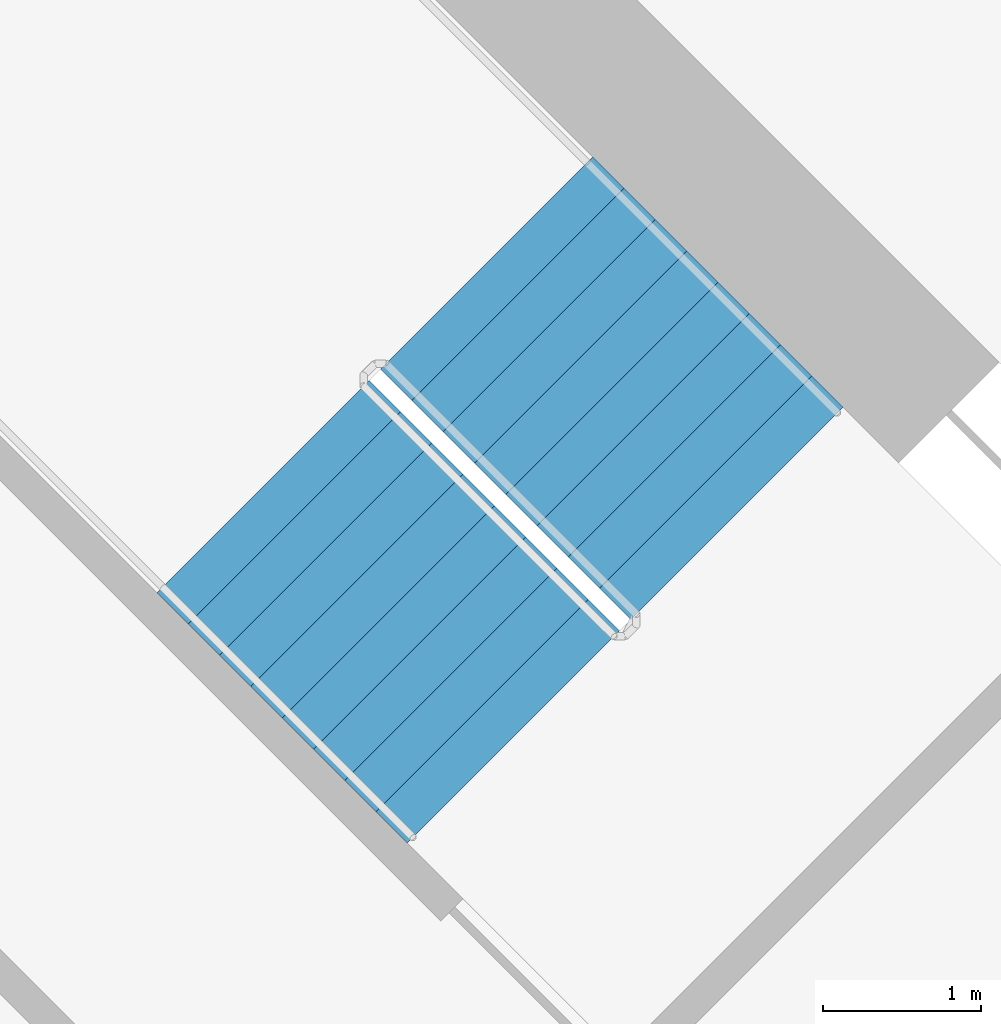
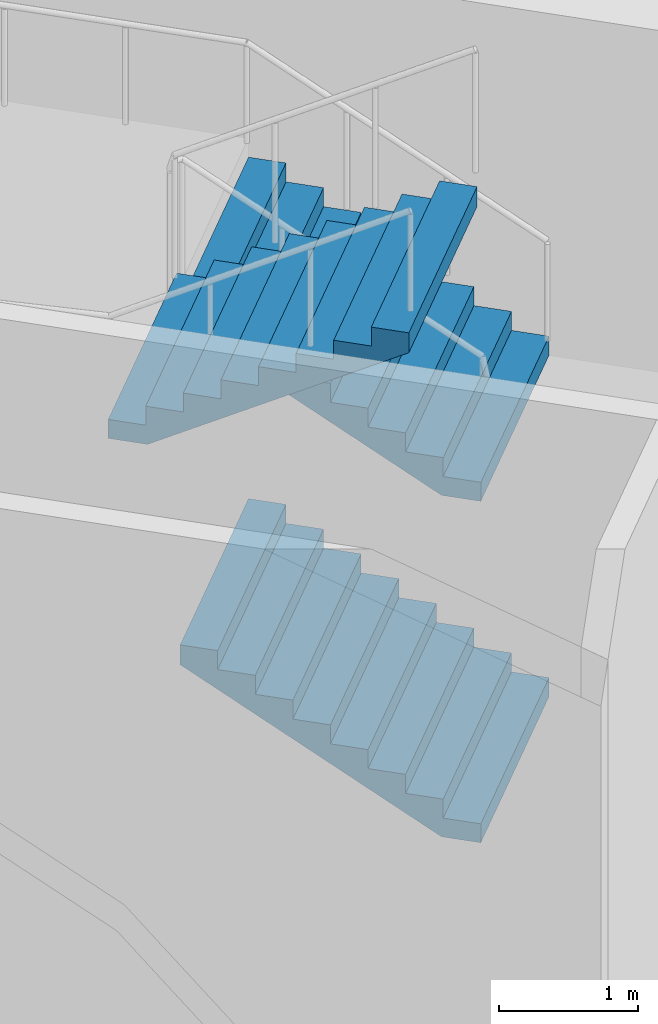
# One storey, part 17 of 20: 3 stair flights, 1 element without a shape of its own.
"""IFC4 building model written with IfcOpenShell, lengths in metres."""

from ifc_helpers import new_model, si_unit, direction, frame, origin, place, context, subcontext, project, spatial, triangles, material, type_object, element, aggregate, save


model = new_model("IFC4")

# Units and contexts
model_context = context("Model", 3, precision=1e-05, world=origin(), true_north=direction((0.0, 1.0)))
body_context = subcontext(model_context, "Body", "Model", "MODEL_VIEW")
ifc_project = project(units=[si_unit("LENGTHUNIT", "METRE"), si_unit("AREAUNIT", "SQUARE_METRE"), si_unit("VOLUMEUNIT", "CUBIC_METRE"), si_unit("PLANEANGLEUNIT", "RADIAN"), si_unit("MASSUNIT", "GRAM", prefix="KILO")], contexts=[model_context])

# Site, building, storey
site_placement = place(None, origin())
site = spatial("IfcSite", under=ifc_project, at=site_placement, CompositionType="ELEMENT")
building_placement = place(site_placement, origin())
building = spatial("IfcBuilding", under=site, at=building_placement, Name="Verdalira Terraces Hotel", CompositionType="ELEMENT")
storey_placement = place(building_placement, frame((0.0, 0.0, 75.0)))
storey = spatial("IfcBuildingStorey", under=building, at=storey_placement, Name="L17", CompositionType="ELEMENT", Elevation=75.0)

# Stair, stair flights
ifc_material_1 = material(Name="Concrete C40", Category="concrete")
stair_type = type_object("IfcStairType", Name="Core stair 36 risers 1900 mm wide", PredefinedType="HALF_TURN_STAIR", material=ifc_material_1)
stair_placement = place(storey_placement, origin())
stair = element("IfcStair", 1, at=stair_placement, inside=storey, type_object=stair_type, Name="L17 Exit stair ST1", PredefinedType="HALF_TURN_STAIR")
ifc_material_2 = material(Name="Concrete C40", Category="concrete")
stair_flight_type = type_object("IfcStairFlightType", Name="Core stair flight 36 risers 1900 mm wide", PredefinedType="STRAIGHT", material=ifc_material_2)
stair_flight_1_placement = place(storey_placement, frame((10.005615, 7.177246, 0.0), z_axis=(0.0, 0.0, 1.0), x_axis=(-0.707106781, 0.707106781, 0.0)))
stair_flight_1 = element("IfcStairFlight", 2, at=stair_flight_1_placement, type_object=stair_flight_type, Name="ST1 flight 1", NumberOfRisers=9, NumberOfTreads=8, PredefinedType="STRAIGHT", RiserHeight=0.166666667, TreadLength=0.28, context=body_context, shape_type="Tessellation", body=[
    triangles([(0.0, 0.949951, 0.0), (0.292969, 0.949951, 0.0), (2.23999, 0.949951, 1.158936), (0.0, -0.949951, 0.0), (0.292969, -0.949951, 0.0), (2.23999, -0.949951, 1.158936), (2.23999, 0.949951, 1.333252), (1.959961, 0.949951, 1.333252), (2.23999, -0.949951, 1.333252), (1.959961, -0.949951, 1.333252), (1.959961, 0.949951, 1.166748), (1.959961, -0.949951, 1.166748), (1.679932, 0.949951, 1.166748), (1.679932, -0.949951, 1.166748), (1.679932, 0.949951, 1.0), (1.679932, -0.949951, 1.0), (1.399902, 0.949951, 1.0), (1.399902, 0.949951, 0.833252), (1.399902, -0.949951, 1.0), (1.399902, -0.949951, 0.833252), (1.120117, 0.949951, 0.833252), (1.120117, 0.949951, 0.666748), (1.120117, -0.949951, 0.833252), (1.120117, -0.949951, 0.666748), (0.840088, 0.949951, 0.666748), (0.840088, 0.949951, 0.5), (0.840088, -0.949951, 0.666748), (0.840088, -0.949951, 0.5), (0.560059, 0.949951, 0.5), (0.560059, 0.949951, 0.333252), (0.560059, -0.949951, 0.5), (0.560059, -0.949951, 0.333252), (0.280029, 0.949951, 0.333252), (0.280029, 0.949951, 0.166748), (0.280029, -0.949951, 0.333252), (0.280029, -0.949951, 0.166748), (0.0, 0.949951, 0.166748), (0.0, -0.949951, 0.166748), (0.0, -0.890579, 0.0), (0.0, -0.890579, 0.166748), (0.0, -0.831207, 0.0), (0.0, -0.831207, 0.166748), (0.0, -0.771835, 0.0), (0.0, -0.771835, 0.166748), (0.0, -0.712463, 0.0), (0.0, -0.712463, 0.166748), (0.0, -0.653091, 0.0), (0.0, -0.653091, 0.166748), (0.0, -0.593719, 0.0), (0.0, -0.593719, 0.166748), (0.0, -0.534348, 0.0), (0.0, -0.534348, 0.166748), (0.0, -0.474976, 0.0), (0.0, -0.474976, 0.166748), (0.0, -0.415604, 0.0), (0.0, -0.415604, 0.166748), (0.0, -0.356232, 0.0), (0.0, -0.356232, 0.166748), (0.0, -0.29686, 0.0), (0.0, -0.29686, 0.166748), (0.0, -0.237488, 0.0), (0.0, -0.237488, 0.166748), (0.0, -0.178116, 0.0), (0.0, -0.178116, 0.166748), (0.0, -0.118744, 0.0), (0.0, -0.118744, 0.166748), (0.0, -0.059372, 0.0), (0.0, -0.059372, 0.166748), (0.0, 0.0, 0.0), (0.0, 0.0, 0.166748), (0.0, 0.059372, 0.0), (0.0, 0.059372, 0.166748), (0.0, 0.118744, 0.0), (0.0, 0.118744, 0.166748), (0.0, 0.178116, 0.0), (0.0, 0.178116, 0.166748), (0.0, 0.237488, 0.0), (0.0, 0.237488, 0.166748), (0.0, 0.29686, 0.0), (0.0, 0.29686, 0.166748), (0.0, 0.356232, 0.0), (0.0, 0.356232, 0.166748), (0.0, 0.415604, 0.0), (0.0, 0.415604, 0.166748), (0.0, 0.474976, 0.0), (0.0, 0.474976, 0.166748), (0.0, 0.534348, 0.0), (0.0, 0.534348, 0.166748), (0.0, 0.593719, 0.0), (0.0, 0.593719, 0.166748), (0.0, 0.653091, 0.0), (0.0, 0.653091, 0.166748), (0.0, 0.712463, 0.0), (0.0, 0.712463, 0.166748), (0.0, 0.771835, 0.0), (0.0, 0.771835, 0.166748), (0.0, 0.831207, 0.0), (0.0, 0.831207, 0.166748), (0.0, 0.890579, 0.0), (0.0, 0.890579, 0.166748), (2.23999, -0.890579, 1.333252), (2.23999, -0.831207, 1.333252), (2.23999, -0.771835, 1.333252), (2.23999, -0.712463, 1.333252), (2.23999, -0.653091, 1.333252), (2.23999, -0.593719, 1.333252), (2.23999, -0.534348, 1.333252), (2.23999, -0.474976, 1.333252), (2.23999, -0.415604, 1.333252), (2.23999, -0.356232, 1.333252), (2.23999, -0.29686, 1.333252), (2.23999, -0.237488, 1.333252), (2.23999, -0.178116, 1.333252), (2.23999, -0.118744, 1.333252), (2.23999, -0.059372, 1.333252), (2.23999, 0.0, 1.333252), (2.23999, 0.059372, 1.333252), (2.23999, 0.118744, 1.333252), (2.23999, 0.178116, 1.333252), (2.23999, 0.237488, 1.333252), (2.23999, 0.29686, 1.333252), (2.23999, 0.356232, 1.333252), (2.23999, 0.415604, 1.333252), (2.23999, 0.474976, 1.333252), (2.23999, 0.534348, 1.333252), (2.23999, 0.593719, 1.333252), (2.23999, 0.653091, 1.333252), (2.23999, 0.712463, 1.333252), (2.23999, 0.771835, 1.333252), (2.23999, 0.831207, 1.333252), (2.23999, 0.890579, 1.333252), (2.23999, -0.890579, 1.158936), (2.23999, -0.831207, 1.158936), (2.23999, -0.771835, 1.158936), (2.23999, -0.712463, 1.158936), (2.23999, -0.653091, 1.158936), (2.23999, -0.593719, 1.158936), (2.23999, -0.534348, 1.158936), (2.23999, -0.474976, 1.158936), (2.23999, -0.415604, 1.158936), (2.23999, -0.356232, 1.158936), (2.23999, -0.29686, 1.158936), (2.23999, -0.237488, 1.158936), (2.23999, -0.178116, 1.158936), (2.23999, -0.118744, 1.158936), (2.23999, -0.059372, 1.158936), (2.23999, 0.0, 1.158936), (2.23999, 0.059372, 1.158936), (2.23999, 0.118744, 1.158936), (2.23999, 0.178116, 1.158936), (2.23999, 0.237488, 1.158936), (2.23999, 0.29686, 1.158936), (2.23999, 0.356232, 1.158936), (2.23999, 0.415604, 1.158936), (2.23999, 0.474976, 1.158936), (2.23999, 0.534348, 1.158936), (2.23999, 0.593719, 1.158936), (2.23999, 0.653091, 1.158936), (2.23999, 0.712463, 1.158936), (2.23999, 0.771835, 1.158936), (2.23999, 0.831207, 1.158936), (2.23999, 0.890579, 1.158936)], [[1, 3, 2], [4, 5, 6], [3, 8, 7], [6, 9, 10], [3, 11, 8], [6, 10, 12], [3, 13, 11], [6, 12, 14], [3, 15, 13], [6, 14, 16], [15, 18, 17], [16, 19, 20], [3, 18, 15], [6, 16, 20], [18, 22, 21], [20, 23, 24], [3, 22, 18], [6, 20, 24], [22, 26, 25], [24, 27, 28], [3, 26, 22], [6, 24, 28], [26, 30, 29], [28, 31, 32], [3, 30, 26], [6, 28, 32], [1, 30, 3], [4, 6, 32], [30, 34, 33], [32, 35, 36], [1, 34, 30], [4, 32, 36], [34, 1, 37], [36, 38, 4], [4, 40, 39], [4, 38, 40], [39, 42, 41], [39, 40, 42], [41, 44, 43], [41, 42, 44], [43, 46, 45], [43, 44, 46], [45, 48, 47], [45, 46, 48], [47, 50, 49], [47, 48, 50], [49, 52, 51], [49, 50, 52], [51, 54, 53], [51, 52, 54], [53, 56, 55], [53, 54, 56], [55, 58, 57], [55, 56, 58], [57, 60, 59], [57, 58, 60], [59, 62, 61], [59, 60, 62], [61, 64, 63], [61, 62, 64], [63, 66, 65], [63, 64, 66], [65, 68, 67], [65, 66, 68], [67, 70, 69], [67, 68, 70], [69, 72, 71], [69, 70, 72], [71, 74, 73], [71, 72, 74], [73, 76, 75], [73, 74, 76], [75, 78, 77], [75, 76, 78], [77, 80, 79], [77, 78, 80], [79, 82, 81], [79, 80, 82], [81, 84, 83], [81, 82, 84], [83, 86, 85], [83, 84, 86], [85, 88, 87], [85, 86, 88], [87, 90, 89], [87, 88, 90], [89, 92, 91], [89, 90, 92], [91, 94, 93], [91, 92, 94], [93, 96, 95], [93, 94, 96], [95, 98, 97], [95, 96, 98], [97, 100, 99], [97, 98, 100], [99, 37, 1], [99, 100, 37], [38, 36, 40], [40, 36, 42], [42, 36, 44], [44, 36, 46], [46, 36, 48], [48, 36, 50], [50, 36, 52], [52, 36, 54], [54, 36, 56], [56, 36, 58], [58, 36, 60], [60, 36, 62], [62, 36, 64], [64, 36, 66], [66, 36, 68], [68, 36, 70], [70, 36, 72], [72, 36, 74], [74, 36, 76], [76, 36, 78], [78, 36, 80], [80, 36, 82], [82, 36, 84], [84, 36, 86], [86, 36, 88], [88, 36, 90], [90, 36, 92], [92, 36, 94], [94, 36, 96], [96, 36, 98], [98, 36, 100], [100, 36, 37], [37, 36, 34], [36, 33, 34], [36, 35, 33], [35, 30, 33], [35, 32, 30], [32, 29, 30], [32, 31, 29], [31, 26, 29], [31, 28, 26], [28, 25, 26], [28, 27, 25], [27, 22, 25], [27, 24, 22], [24, 21, 22], [24, 23, 21], [23, 18, 21], [23, 20, 18], [20, 17, 18], [20, 19, 17], [19, 15, 17], [19, 16, 15], [16, 13, 15], [16, 14, 13], [14, 11, 13], [14, 12, 11], [12, 8, 11], [12, 10, 8], [9, 101, 10], [101, 102, 10], [102, 103, 10], [103, 104, 10], [104, 105, 10], [105, 106, 10], [106, 107, 10], [107, 108, 10], [108, 109, 10], [109, 110, 10], [110, 111, 10], [111, 112, 10], [112, 113, 10], [113, 114, 10], [114, 115, 10], [115, 116, 10], [116, 117, 10], [117, 118, 10], [118, 119, 10], [119, 120, 10], [120, 121, 10], [121, 122, 10], [122, 123, 10], [123, 124, 10], [124, 125, 10], [125, 126, 10], [126, 127, 10], [127, 128, 10], [128, 129, 10], [129, 130, 10], [130, 131, 10], [131, 7, 10], [7, 8, 10], [9, 132, 101], [9, 6, 132], [101, 133, 102], [101, 132, 133], [102, 134, 103], [102, 133, 134], [103, 135, 104], [103, 134, 135], [104, 136, 105], [104, 135, 136], [105, 137, 106], [105, 136, 137], [106, 138, 107], [106, 137, 138], [107, 139, 108], [107, 138, 139], [108, 140, 109], [108, 139, 140], [109, 141, 110], [109, 140, 141], [110, 142, 111], [110, 141, 142], [111, 143, 112], [111, 142, 143], [112, 144, 113], [112, 143, 144], [113, 145, 114], [113, 144, 145], [114, 146, 115], [114, 145, 146], [115, 147, 116], [115, 146, 147], [116, 148, 117], [116, 147, 148], [117, 149, 118], [117, 148, 149], [118, 150, 119], [118, 149, 150], [119, 151, 120], [119, 150, 151], [120, 152, 121], [120, 151, 152], [121, 153, 122], [121, 152, 153], [122, 154, 123], [122, 153, 154], [123, 155, 124], [123, 154, 155], [124, 156, 125], [124, 155, 156], [125, 157, 126], [125, 156, 157], [126, 158, 127], [126, 157, 158], [127, 159, 128], [127, 158, 159], [128, 160, 129], [128, 159, 160], [129, 161, 130], [129, 160, 161], [130, 162, 131], [130, 161, 162], [131, 3, 7], [131, 162, 3], [6, 5, 132], [132, 5, 133], [133, 5, 134], [134, 5, 135], [135, 5, 136], [136, 5, 137], [137, 5, 138], [138, 5, 139], [139, 5, 140], [140, 5, 141], [141, 5, 142], [142, 5, 143], [143, 5, 144], [144, 5, 145], [145, 5, 146], [146, 5, 147], [147, 5, 148], [148, 5, 149], [149, 5, 150], [150, 5, 151], [151, 5, 152], [152, 5, 153], [153, 5, 154], [154, 5, 155], [155, 5, 156], [156, 5, 157], [157, 5, 158], [158, 5, 159], [159, 5, 160], [160, 5, 161], [161, 5, 162], [162, 5, 3], [3, 5, 2], [4, 39, 5], [39, 41, 5], [41, 43, 5], [43, 45, 5], [45, 47, 5], [47, 49, 5], [49, 51, 5], [51, 53, 5], [53, 55, 5], [55, 57, 5], [57, 59, 5], [59, 61, 5], [61, 63, 5], [63, 65, 5], [65, 67, 5], [67, 69, 5], [69, 71, 5], [71, 73, 5], [73, 75, 5], [75, 77, 5], [77, 79, 5], [79, 81, 5], [81, 83, 5], [83, 85, 5], [85, 87, 5], [87, 89, 5], [89, 91, 5], [91, 93, 5], [93, 95, 5], [95, 97, 5], [97, 99, 5], [99, 1, 5], [1, 2, 5]], closed=True),
])
stair_flight_2_placement = place(storey_placement, frame((10.005615, 7.177246, 3.0), z_axis=(0.0, 0.0, 1.0), x_axis=(-0.707106781, 0.707106781, 0.0)))
stair_flight_2 = element("IfcStairFlight", 3, at=stair_flight_2_placement, type_object=stair_flight_type, Name="ST1 flight 3", NumberOfRisers=9, NumberOfTreads=8, PredefinedType="STRAIGHT", RiserHeight=0.166666667, TreadLength=0.28, context=body_context, shape_type="Tessellation", body=[
    triangles([(0.0, 0.949951, 0.0), (0.292969, 0.949951, 0.0), (2.23999, 0.949951, 1.158936), (0.0, -0.949951, 0.0), (0.292969, -0.949951, 0.0), (2.23999, -0.949951, 1.158936), (2.23999, 0.949951, 1.333252), (1.959961, 0.949951, 1.333252), (2.23999, -0.949951, 1.333252), (1.959961, -0.949951, 1.333252), (1.959961, 0.949951, 1.166748), (1.959961, -0.949951, 1.166748), (1.679932, 0.949951, 1.166748), (1.679932, -0.949951, 1.166748), (1.679932, 0.949951, 1.0), (1.679932, -0.949951, 1.0), (1.399902, 0.949951, 1.0), (1.399902, 0.949951, 0.833252), (1.399902, -0.949951, 1.0), (1.399902, -0.949951, 0.833252), (1.120117, 0.949951, 0.833252), (1.120117, 0.949951, 0.666748), (1.120117, -0.949951, 0.833252), (1.120117, -0.949951, 0.666748), (0.840088, 0.949951, 0.666748), (0.840088, 0.949951, 0.5), (0.840088, -0.949951, 0.666748), (0.840088, -0.949951, 0.5), (0.560059, 0.949951, 0.5), (0.560059, 0.949951, 0.333252), (0.560059, -0.949951, 0.5), (0.560059, -0.949951, 0.333252), (0.280029, 0.949951, 0.333252), (0.280029, 0.949951, 0.166748), (0.280029, -0.949951, 0.333252), (0.280029, -0.949951, 0.166748), (0.0, 0.949951, 0.166748), (0.0, -0.949951, 0.166748), (0.0, -0.890579, 0.0), (0.0, -0.890579, 0.166748), (0.0, -0.831207, 0.0), (0.0, -0.831207, 0.166748), (0.0, -0.771835, 0.0), (0.0, -0.771835, 0.166748), (0.0, -0.712463, 0.0), (0.0, -0.712463, 0.166748), (0.0, -0.653091, 0.0), (0.0, -0.653091, 0.166748), (0.0, -0.593719, 0.0), (0.0, -0.593719, 0.166748), (0.0, -0.534348, 0.0), (0.0, -0.534348, 0.166748), (0.0, -0.474976, 0.0), (0.0, -0.474976, 0.166748), (0.0, -0.415604, 0.0), (0.0, -0.415604, 0.166748), (0.0, -0.356232, 0.0), (0.0, -0.356232, 0.166748), (0.0, -0.29686, 0.0), (0.0, -0.29686, 0.166748), (0.0, -0.237488, 0.0), (0.0, -0.237488, 0.166748), (0.0, -0.178116, 0.0), (0.0, -0.178116, 0.166748), (0.0, -0.118744, 0.0), (0.0, -0.118744, 0.166748), (0.0, -0.059372, 0.0), (0.0, -0.059372, 0.166748), (0.0, 0.0, 0.0), (0.0, 0.0, 0.166748), (0.0, 0.059372, 0.0), (0.0, 0.059372, 0.166748), (0.0, 0.118744, 0.0), (0.0, 0.118744, 0.166748), (0.0, 0.178116, 0.0), (0.0, 0.178116, 0.166748), (0.0, 0.237488, 0.0), (0.0, 0.237488, 0.166748), (0.0, 0.29686, 0.0), (0.0, 0.29686, 0.166748), (0.0, 0.356232, 0.0), (0.0, 0.356232, 0.166748), (0.0, 0.415604, 0.0), (0.0, 0.415604, 0.166748), (0.0, 0.474976, 0.0), (0.0, 0.474976, 0.166748), (0.0, 0.534348, 0.0), (0.0, 0.534348, 0.166748), (0.0, 0.593719, 0.0), (0.0, 0.593719, 0.166748), (0.0, 0.653091, 0.0), (0.0, 0.653091, 0.166748), (0.0, 0.712463, 0.0), (0.0, 0.712463, 0.166748), (0.0, 0.771835, 0.0), (0.0, 0.771835, 0.166748), (0.0, 0.831207, 0.0), (0.0, 0.831207, 0.166748), (0.0, 0.890579, 0.0), (0.0, 0.890579, 0.166748), (2.23999, -0.890579, 1.333252), (2.23999, -0.831207, 1.333252), (2.23999, -0.771835, 1.333252), (2.23999, -0.712463, 1.333252), (2.23999, -0.653091, 1.333252), (2.23999, -0.593719, 1.333252), (2.23999, -0.534348, 1.333252), (2.23999, -0.474976, 1.333252), (2.23999, -0.415604, 1.333252), (2.23999, -0.356232, 1.333252), (2.23999, -0.29686, 1.333252), (2.23999, -0.237488, 1.333252), (2.23999, -0.178116, 1.333252), (2.23999, -0.118744, 1.333252), (2.23999, -0.059372, 1.333252), (2.23999, 0.0, 1.333252), (2.23999, 0.059372, 1.333252), (2.23999, 0.118744, 1.333252), (2.23999, 0.178116, 1.333252), (2.23999, 0.237488, 1.333252), (2.23999, 0.29686, 1.333252), (2.23999, 0.356232, 1.333252), (2.23999, 0.415604, 1.333252), (2.23999, 0.474976, 1.333252), (2.23999, 0.534348, 1.333252), (2.23999, 0.593719, 1.333252), (2.23999, 0.653091, 1.333252), (2.23999, 0.712463, 1.333252), (2.23999, 0.771835, 1.333252), (2.23999, 0.831207, 1.333252), (2.23999, 0.890579, 1.333252), (2.23999, -0.890579, 1.158936), (2.23999, -0.831207, 1.158936), (2.23999, -0.771835, 1.158936), (2.23999, -0.712463, 1.158936), (2.23999, -0.653091, 1.158936), (2.23999, -0.593719, 1.158936), (2.23999, -0.534348, 1.158936), (2.23999, -0.474976, 1.158936), (2.23999, -0.415604, 1.158936), (2.23999, -0.356232, 1.158936), (2.23999, -0.29686, 1.158936), (2.23999, -0.237488, 1.158936), (2.23999, -0.178116, 1.158936), (2.23999, -0.118744, 1.158936), (2.23999, -0.059372, 1.158936), (2.23999, 0.0, 1.158936), (2.23999, 0.059372, 1.158936), (2.23999, 0.118744, 1.158936), (2.23999, 0.178116, 1.158936), (2.23999, 0.237488, 1.158936), (2.23999, 0.29686, 1.158936), (2.23999, 0.356232, 1.158936), (2.23999, 0.415604, 1.158936), (2.23999, 0.474976, 1.158936), (2.23999, 0.534348, 1.158936), (2.23999, 0.593719, 1.158936), (2.23999, 0.653091, 1.158936), (2.23999, 0.712463, 1.158936), (2.23999, 0.771835, 1.158936), (2.23999, 0.831207, 1.158936), (2.23999, 0.890579, 1.158936)], [[1, 3, 2], [4, 5, 6], [3, 8, 7], [6, 9, 10], [3, 11, 8], [6, 10, 12], [3, 13, 11], [6, 12, 14], [3, 15, 13], [6, 14, 16], [15, 18, 17], [16, 19, 20], [3, 18, 15], [6, 16, 20], [18, 22, 21], [20, 23, 24], [3, 22, 18], [6, 20, 24], [22, 26, 25], [24, 27, 28], [3, 26, 22], [6, 24, 28], [26, 30, 29], [28, 31, 32], [3, 30, 26], [6, 28, 32], [1, 30, 3], [4, 6, 32], [30, 34, 33], [32, 35, 36], [1, 34, 30], [4, 32, 36], [34, 1, 37], [36, 38, 4], [4, 40, 39], [4, 38, 40], [39, 42, 41], [39, 40, 42], [41, 44, 43], [41, 42, 44], [43, 46, 45], [43, 44, 46], [45, 48, 47], [45, 46, 48], [47, 50, 49], [47, 48, 50], [49, 52, 51], [49, 50, 52], [51, 54, 53], [51, 52, 54], [53, 56, 55], [53, 54, 56], [55, 58, 57], [55, 56, 58], [57, 60, 59], [57, 58, 60], [59, 62, 61], [59, 60, 62], [61, 64, 63], [61, 62, 64], [63, 66, 65], [63, 64, 66], [65, 68, 67], [65, 66, 68], [67, 70, 69], [67, 68, 70], [69, 72, 71], [69, 70, 72], [71, 74, 73], [71, 72, 74], [73, 76, 75], [73, 74, 76], [75, 78, 77], [75, 76, 78], [77, 80, 79], [77, 78, 80], [79, 82, 81], [79, 80, 82], [81, 84, 83], [81, 82, 84], [83, 86, 85], [83, 84, 86], [85, 88, 87], [85, 86, 88], [87, 90, 89], [87, 88, 90], [89, 92, 91], [89, 90, 92], [91, 94, 93], [91, 92, 94], [93, 96, 95], [93, 94, 96], [95, 98, 97], [95, 96, 98], [97, 100, 99], [97, 98, 100], [99, 37, 1], [99, 100, 37], [38, 36, 40], [40, 36, 42], [42, 36, 44], [44, 36, 46], [46, 36, 48], [48, 36, 50], [50, 36, 52], [52, 36, 54], [54, 36, 56], [56, 36, 58], [58, 36, 60], [60, 36, 62], [62, 36, 64], [64, 36, 66], [66, 36, 68], [68, 36, 70], [70, 36, 72], [72, 36, 74], [74, 36, 76], [76, 36, 78], [78, 36, 80], [80, 36, 82], [82, 36, 84], [84, 36, 86], [86, 36, 88], [88, 36, 90], [90, 36, 92], [92, 36, 94], [94, 36, 96], [96, 36, 98], [98, 36, 100], [100, 36, 37], [37, 36, 34], [36, 33, 34], [36, 35, 33], [35, 30, 33], [35, 32, 30], [32, 29, 30], [32, 31, 29], [31, 26, 29], [31, 28, 26], [28, 25, 26], [28, 27, 25], [27, 22, 25], [27, 24, 22], [24, 21, 22], [24, 23, 21], [23, 18, 21], [23, 20, 18], [20, 17, 18], [20, 19, 17], [19, 15, 17], [19, 16, 15], [16, 13, 15], [16, 14, 13], [14, 11, 13], [14, 12, 11], [12, 8, 11], [12, 10, 8], [9, 101, 10], [101, 102, 10], [102, 103, 10], [103, 104, 10], [104, 105, 10], [105, 106, 10], [106, 107, 10], [107, 108, 10], [108, 109, 10], [109, 110, 10], [110, 111, 10], [111, 112, 10], [112, 113, 10], [113, 114, 10], [114, 115, 10], [115, 116, 10], [116, 117, 10], [117, 118, 10], [118, 119, 10], [119, 120, 10], [120, 121, 10], [121, 122, 10], [122, 123, 10], [123, 124, 10], [124, 125, 10], [125, 126, 10], [126, 127, 10], [127, 128, 10], [128, 129, 10], [129, 130, 10], [130, 131, 10], [131, 7, 10], [7, 8, 10], [9, 132, 101], [9, 6, 132], [101, 133, 102], [101, 132, 133], [102, 134, 103], [102, 133, 134], [103, 135, 104], [103, 134, 135], [104, 136, 105], [104, 135, 136], [105, 137, 106], [105, 136, 137], [106, 138, 107], [106, 137, 138], [107, 139, 108], [107, 138, 139], [108, 140, 109], [108, 139, 140], [109, 141, 110], [109, 140, 141], [110, 142, 111], [110, 141, 142], [111, 143, 112], [111, 142, 143], [112, 144, 113], [112, 143, 144], [113, 145, 114], [113, 144, 145], [114, 146, 115], [114, 145, 146], [115, 147, 116], [115, 146, 147], [116, 148, 117], [116, 147, 148], [117, 149, 118], [117, 148, 149], [118, 150, 119], [118, 149, 150], [119, 151, 120], [119, 150, 151], [120, 152, 121], [120, 151, 152], [121, 153, 122], [121, 152, 153], [122, 154, 123], [122, 153, 154], [123, 155, 124], [123, 154, 155], [124, 156, 125], [124, 155, 156], [125, 157, 126], [125, 156, 157], [126, 158, 127], [126, 157, 158], [127, 159, 128], [127, 158, 159], [128, 160, 129], [128, 159, 160], [129, 161, 130], [129, 160, 161], [130, 162, 131], [130, 161, 162], [131, 3, 7], [131, 162, 3], [6, 5, 132], [132, 5, 133], [133, 5, 134], [134, 5, 135], [135, 5, 136], [136, 5, 137], [137, 5, 138], [138, 5, 139], [139, 5, 140], [140, 5, 141], [141, 5, 142], [142, 5, 143], [143, 5, 144], [144, 5, 145], [145, 5, 146], [146, 5, 147], [147, 5, 148], [148, 5, 149], [149, 5, 150], [150, 5, 151], [151, 5, 152], [152, 5, 153], [153, 5, 154], [154, 5, 155], [155, 5, 156], [156, 5, 157], [157, 5, 158], [158, 5, 159], [159, 5, 160], [160, 5, 161], [161, 5, 162], [162, 5, 3], [3, 5, 2], [4, 39, 5], [39, 41, 5], [41, 43, 5], [43, 45, 5], [45, 47, 5], [47, 49, 5], [49, 51, 5], [51, 53, 5], [53, 55, 5], [55, 57, 5], [57, 59, 5], [59, 61, 5], [61, 63, 5], [63, 65, 5], [65, 67, 5], [67, 69, 5], [69, 71, 5], [71, 73, 5], [73, 75, 5], [75, 77, 5], [77, 79, 5], [79, 81, 5], [81, 83, 5], [83, 85, 5], [85, 87, 5], [87, 89, 5], [89, 91, 5], [91, 93, 5], [93, 95, 5], [95, 97, 5], [97, 99, 5], [99, 1, 5], [1, 2, 5]], closed=True),
])
stair_flight_3_placement = place(storey_placement, frame((7.007324, 7.346924, 4.5), z_axis=(0.0, 0.0, 1.0), x_axis=(0.707106781, -0.707106781, 0.0)))
stair_flight_3 = element("IfcStairFlight", 4, at=stair_flight_3_placement, type_object=stair_flight_type, Name="ST1 flight 4", NumberOfRisers=9, NumberOfTreads=8, PredefinedType="STRAIGHT", RiserHeight=0.166666667, TreadLength=0.28, context=body_context, shape_type="Tessellation", body=[
    triangles([(0.0, 0.949951, 0.0), (0.292969, 0.949951, 0.0), (2.23999, 0.949951, 1.158936), (0.0, -0.949951, 0.0), (0.292969, -0.949951, 0.0), (2.23999, -0.949951, 1.158936), (2.23999, 0.949951, 1.333252), (1.959961, 0.949951, 1.333252), (2.23999, -0.949951, 1.333252), (1.959961, -0.949951, 1.333252), (1.959961, 0.949951, 1.166748), (1.959961, -0.949951, 1.166748), (1.679932, 0.949951, 1.166748), (1.679932, -0.949951, 1.166748), (1.679932, 0.949951, 1.0), (1.679932, -0.949951, 1.0), (1.399902, 0.949951, 1.0), (1.399902, 0.949951, 0.833252), (1.399902, -0.949951, 1.0), (1.399902, -0.949951, 0.833252), (1.120117, 0.949951, 0.833252), (1.120117, 0.949951, 0.666748), (1.120117, -0.949951, 0.833252), (1.120117, -0.949951, 0.666748), (0.840088, 0.949951, 0.666748), (0.840088, 0.949951, 0.5), (0.840088, -0.949951, 0.666748), (0.840088, -0.949951, 0.5), (0.560059, 0.949951, 0.5), (0.560059, 0.949951, 0.333252), (0.560059, -0.949951, 0.5), (0.560059, -0.949951, 0.333252), (0.280029, 0.949951, 0.333252), (0.280029, 0.949951, 0.166748), (0.280029, -0.949951, 0.333252), (0.280029, -0.949951, 0.166748), (0.0, 0.949951, 0.166748), (0.0, -0.949951, 0.166748), (0.0, -0.890579, 0.0), (0.0, -0.890579, 0.166748), (0.0, -0.831207, 0.0), (0.0, -0.831207, 0.166748), (0.0, -0.771835, 0.0), (0.0, -0.771835, 0.166748), (0.0, -0.712463, 0.0), (0.0, -0.712463, 0.166748), (0.0, -0.653091, 0.0), (0.0, -0.653091, 0.166748), (0.0, -0.593719, 0.0), (0.0, -0.593719, 0.166748), (0.0, -0.534348, 0.0), (0.0, -0.534348, 0.166748), (0.0, -0.474976, 0.0), (0.0, -0.474976, 0.166748), (0.0, -0.415604, 0.0), (0.0, -0.415604, 0.166748), (0.0, -0.356232, 0.0), (0.0, -0.356232, 0.166748), (0.0, -0.29686, 0.0), (0.0, -0.29686, 0.166748), (0.0, -0.237488, 0.0), (0.0, -0.237488, 0.166748), (0.0, -0.178116, 0.0), (0.0, -0.178116, 0.166748), (0.0, -0.118744, 0.0), (0.0, -0.118744, 0.166748), (0.0, -0.059372, 0.0), (0.0, -0.059372, 0.166748), (0.0, 0.0, 0.0), (0.0, 0.0, 0.166748), (0.0, 0.059372, 0.0), (0.0, 0.059372, 0.166748), (0.0, 0.118744, 0.0), (0.0, 0.118744, 0.166748), (0.0, 0.178116, 0.0), (0.0, 0.178116, 0.166748), (0.0, 0.237488, 0.0), (0.0, 0.237488, 0.166748), (0.0, 0.29686, 0.0), (0.0, 0.29686, 0.166748), (0.0, 0.356232, 0.0), (0.0, 0.356232, 0.166748), (0.0, 0.415604, 0.0), (0.0, 0.415604, 0.166748), (0.0, 0.474976, 0.0), (0.0, 0.474976, 0.166748), (0.0, 0.534348, 0.0), (0.0, 0.534348, 0.166748), (0.0, 0.593719, 0.0), (0.0, 0.593719, 0.166748), (0.0, 0.653091, 0.0), (0.0, 0.653091, 0.166748), (0.0, 0.712463, 0.0), (0.0, 0.712463, 0.166748), (0.0, 0.771835, 0.0), (0.0, 0.771835, 0.166748), (0.0, 0.831207, 0.0), (0.0, 0.831207, 0.166748), (0.0, 0.890579, 0.0), (0.0, 0.890579, 0.166748), (2.23999, -0.890579, 1.333252), (2.23999, -0.831207, 1.333252), (2.23999, -0.771835, 1.333252), (2.23999, -0.712463, 1.333252), (2.23999, -0.653091, 1.333252), (2.23999, -0.593719, 1.333252), (2.23999, -0.534348, 1.333252), (2.23999, -0.474976, 1.333252), (2.23999, -0.415604, 1.333252), (2.23999, -0.356232, 1.333252), (2.23999, -0.29686, 1.333252), (2.23999, -0.237488, 1.333252), (2.23999, -0.178116, 1.333252), (2.23999, -0.118744, 1.333252), (2.23999, -0.059372, 1.333252), (2.23999, 0.0, 1.333252), (2.23999, 0.059372, 1.333252), (2.23999, 0.118744, 1.333252), (2.23999, 0.178116, 1.333252), (2.23999, 0.237488, 1.333252), (2.23999, 0.29686, 1.333252), (2.23999, 0.356232, 1.333252), (2.23999, 0.415604, 1.333252), (2.23999, 0.474976, 1.333252), (2.23999, 0.534348, 1.333252), (2.23999, 0.593719, 1.333252), (2.23999, 0.653091, 1.333252), (2.23999, 0.712463, 1.333252), (2.23999, 0.771835, 1.333252), (2.23999, 0.831207, 1.333252), (2.23999, 0.890579, 1.333252), (2.23999, -0.890579, 1.158936), (2.23999, -0.831207, 1.158936), (2.23999, -0.771835, 1.158936), (2.23999, -0.712463, 1.158936), (2.23999, -0.653091, 1.158936), (2.23999, -0.593719, 1.158936), (2.23999, -0.534348, 1.158936), (2.23999, -0.474976, 1.158936), (2.23999, -0.415604, 1.158936), (2.23999, -0.356232, 1.158936), (2.23999, -0.29686, 1.158936), (2.23999, -0.237488, 1.158936), (2.23999, -0.178116, 1.158936), (2.23999, -0.118744, 1.158936), (2.23999, -0.059372, 1.158936), (2.23999, 0.0, 1.158936), (2.23999, 0.059372, 1.158936), (2.23999, 0.118744, 1.158936), (2.23999, 0.178116, 1.158936), (2.23999, 0.237488, 1.158936), (2.23999, 0.29686, 1.158936), (2.23999, 0.356232, 1.158936), (2.23999, 0.415604, 1.158936), (2.23999, 0.474976, 1.158936), (2.23999, 0.534348, 1.158936), (2.23999, 0.593719, 1.158936), (2.23999, 0.653091, 1.158936), (2.23999, 0.712463, 1.158936), (2.23999, 0.771835, 1.158936), (2.23999, 0.831207, 1.158936), (2.23999, 0.890579, 1.158936)], [[1, 3, 2], [4, 5, 6], [3, 8, 7], [6, 9, 10], [3, 11, 8], [6, 10, 12], [3, 13, 11], [6, 12, 14], [3, 15, 13], [6, 14, 16], [15, 18, 17], [16, 19, 20], [3, 18, 15], [6, 16, 20], [18, 22, 21], [20, 23, 24], [3, 22, 18], [6, 20, 24], [22, 26, 25], [24, 27, 28], [3, 26, 22], [6, 24, 28], [26, 30, 29], [28, 31, 32], [3, 30, 26], [6, 28, 32], [1, 30, 3], [4, 6, 32], [30, 34, 33], [32, 35, 36], [1, 34, 30], [4, 32, 36], [34, 1, 37], [36, 38, 4], [4, 40, 39], [4, 38, 40], [39, 42, 41], [39, 40, 42], [41, 44, 43], [41, 42, 44], [43, 46, 45], [43, 44, 46], [45, 48, 47], [45, 46, 48], [47, 50, 49], [47, 48, 50], [49, 52, 51], [49, 50, 52], [51, 54, 53], [51, 52, 54], [53, 56, 55], [53, 54, 56], [55, 58, 57], [55, 56, 58], [57, 60, 59], [57, 58, 60], [59, 62, 61], [59, 60, 62], [61, 64, 63], [61, 62, 64], [63, 66, 65], [63, 64, 66], [65, 68, 67], [65, 66, 68], [67, 70, 69], [67, 68, 70], [69, 72, 71], [69, 70, 72], [71, 74, 73], [71, 72, 74], [73, 76, 75], [73, 74, 76], [75, 78, 77], [75, 76, 78], [77, 80, 79], [77, 78, 80], [79, 82, 81], [79, 80, 82], [81, 84, 83], [81, 82, 84], [83, 86, 85], [83, 84, 86], [85, 88, 87], [85, 86, 88], [87, 90, 89], [87, 88, 90], [89, 92, 91], [89, 90, 92], [91, 94, 93], [91, 92, 94], [93, 96, 95], [93, 94, 96], [95, 98, 97], [95, 96, 98], [97, 100, 99], [97, 98, 100], [99, 37, 1], [99, 100, 37], [38, 36, 40], [40, 36, 42], [42, 36, 44], [44, 36, 46], [46, 36, 48], [48, 36, 50], [50, 36, 52], [52, 36, 54], [54, 36, 56], [56, 36, 58], [58, 36, 60], [60, 36, 62], [62, 36, 64], [64, 36, 66], [66, 36, 68], [68, 36, 70], [70, 36, 72], [72, 36, 74], [74, 36, 76], [76, 36, 78], [78, 36, 80], [80, 36, 82], [82, 36, 84], [84, 36, 86], [86, 36, 88], [88, 36, 90], [90, 36, 92], [92, 36, 94], [94, 36, 96], [96, 36, 98], [98, 36, 100], [100, 36, 37], [37, 36, 34], [36, 33, 34], [36, 35, 33], [35, 30, 33], [35, 32, 30], [32, 29, 30], [32, 31, 29], [31, 26, 29], [31, 28, 26], [28, 25, 26], [28, 27, 25], [27, 22, 25], [27, 24, 22], [24, 21, 22], [24, 23, 21], [23, 18, 21], [23, 20, 18], [20, 17, 18], [20, 19, 17], [19, 15, 17], [19, 16, 15], [16, 13, 15], [16, 14, 13], [14, 11, 13], [14, 12, 11], [12, 8, 11], [12, 10, 8], [9, 101, 10], [101, 102, 10], [102, 103, 10], [103, 104, 10], [104, 105, 10], [105, 106, 10], [106, 107, 10], [107, 108, 10], [108, 109, 10], [109, 110, 10], [110, 111, 10], [111, 112, 10], [112, 113, 10], [113, 114, 10], [114, 115, 10], [115, 116, 10], [116, 117, 10], [117, 118, 10], [118, 119, 10], [119, 120, 10], [120, 121, 10], [121, 122, 10], [122, 123, 10], [123, 124, 10], [124, 125, 10], [125, 126, 10], [126, 127, 10], [127, 128, 10], [128, 129, 10], [129, 130, 10], [130, 131, 10], [131, 7, 10], [7, 8, 10], [9, 132, 101], [9, 6, 132], [101, 133, 102], [101, 132, 133], [102, 134, 103], [102, 133, 134], [103, 135, 104], [103, 134, 135], [104, 136, 105], [104, 135, 136], [105, 137, 106], [105, 136, 137], [106, 138, 107], [106, 137, 138], [107, 139, 108], [107, 138, 139], [108, 140, 109], [108, 139, 140], [109, 141, 110], [109, 140, 141], [110, 142, 111], [110, 141, 142], [111, 143, 112], [111, 142, 143], [112, 144, 113], [112, 143, 144], [113, 145, 114], [113, 144, 145], [114, 146, 115], [114, 145, 146], [115, 147, 116], [115, 146, 147], [116, 148, 117], [116, 147, 148], [117, 149, 118], [117, 148, 149], [118, 150, 119], [118, 149, 150], [119, 151, 120], [119, 150, 151], [120, 152, 121], [120, 151, 152], [121, 153, 122], [121, 152, 153], [122, 154, 123], [122, 153, 154], [123, 155, 124], [123, 154, 155], [124, 156, 125], [124, 155, 156], [125, 157, 126], [125, 156, 157], [126, 158, 127], [126, 157, 158], [127, 159, 128], [127, 158, 159], [128, 160, 129], [128, 159, 160], [129, 161, 130], [129, 160, 161], [130, 162, 131], [130, 161, 162], [131, 3, 7], [131, 162, 3], [6, 5, 132], [132, 5, 133], [133, 5, 134], [134, 5, 135], [135, 5, 136], [136, 5, 137], [137, 5, 138], [138, 5, 139], [139, 5, 140], [140, 5, 141], [141, 5, 142], [142, 5, 143], [143, 5, 144], [144, 5, 145], [145, 5, 146], [146, 5, 147], [147, 5, 148], [148, 5, 149], [149, 5, 150], [150, 5, 151], [151, 5, 152], [152, 5, 153], [153, 5, 154], [154, 5, 155], [155, 5, 156], [156, 5, 157], [157, 5, 158], [158, 5, 159], [159, 5, 160], [160, 5, 161], [161, 5, 162], [162, 5, 3], [3, 5, 2], [4, 39, 5], [39, 41, 5], [41, 43, 5], [43, 45, 5], [45, 47, 5], [47, 49, 5], [49, 51, 5], [51, 53, 5], [53, 55, 5], [55, 57, 5], [57, 59, 5], [59, 61, 5], [61, 63, 5], [63, 65, 5], [65, 67, 5], [67, 69, 5], [69, 71, 5], [71, 73, 5], [73, 75, 5], [75, 77, 5], [77, 79, 5], [79, 81, 5], [81, 83, 5], [83, 85, 5], [85, 87, 5], [87, 89, 5], [89, 91, 5], [91, 93, 5], [93, 95, 5], [95, 97, 5], [97, 99, 5], [99, 1, 5], [1, 2, 5]], closed=True),
])
aggregate(stair, [stair_flight_1, stair_flight_2, stair_flight_3])

save(model, "model.ifc")
